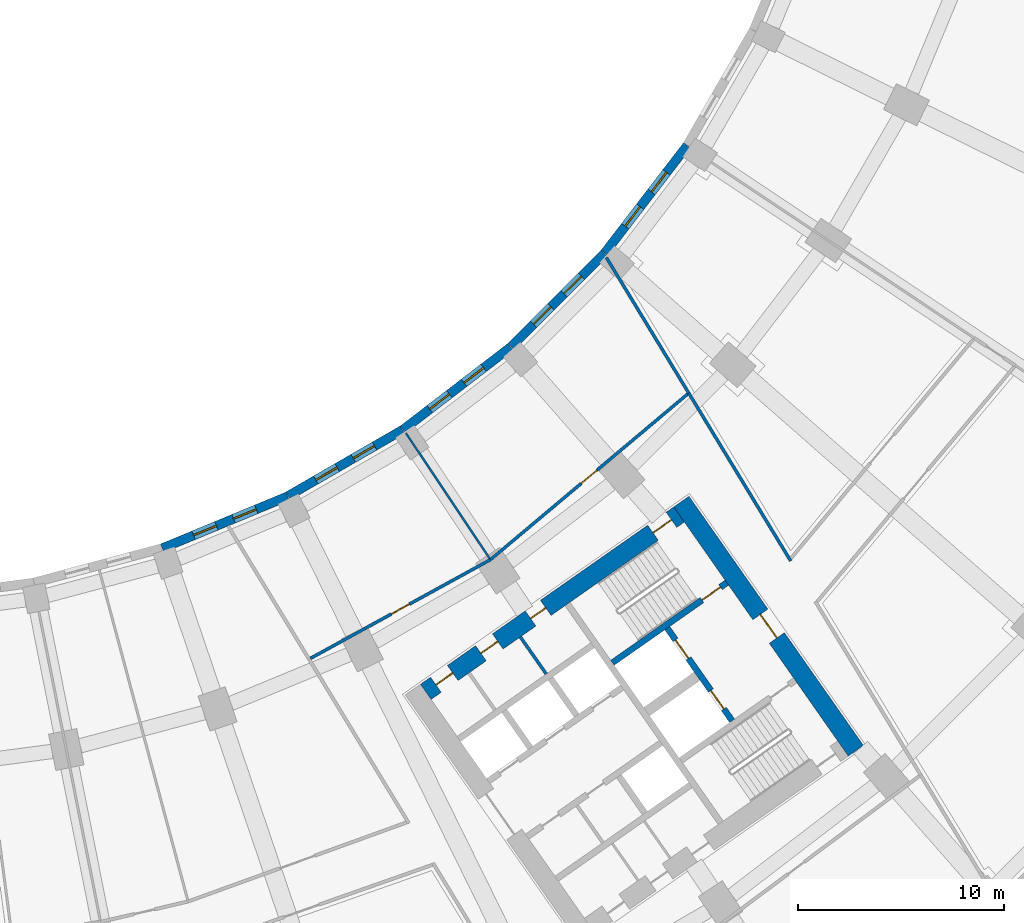
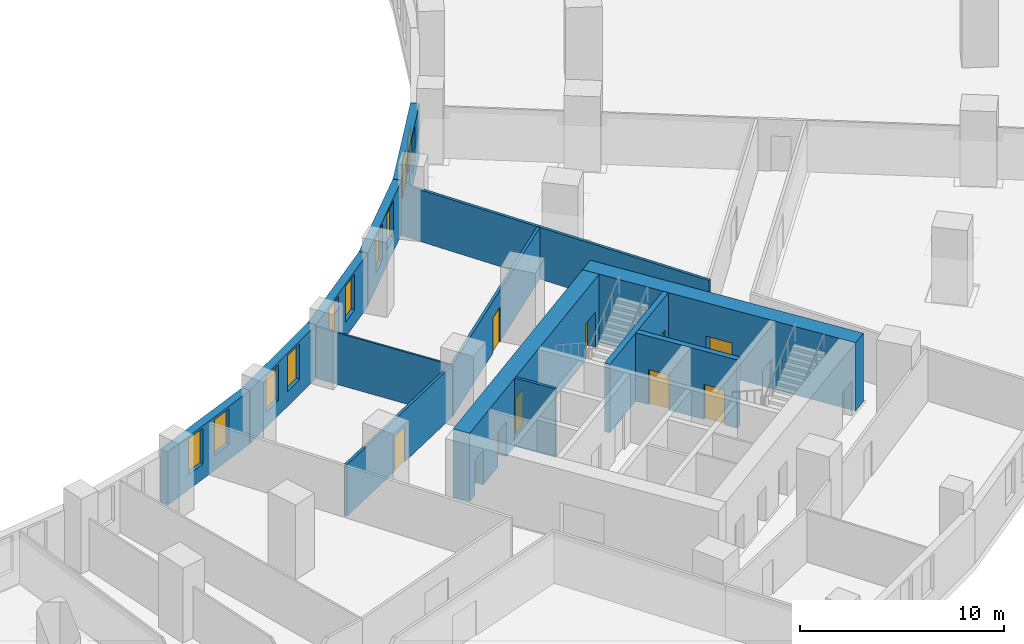
# One storey, part 11 of 20: 15 walls, 10 doors, 10 windows, 20 openings.
"""IFC4 building model written with IfcOpenShell, lengths in metres."""

from ifc_helpers import new_model, si_unit, direction, frame, frame_2d, origin, place, context, subcontext, project, spatial, rectangle, extrude, material, layer, layer_set, type_object, element, fill, save


model = new_model("IFC4")

# Units and contexts
model_context = context("Model", 3, precision=1e-05, world=origin(), true_north=direction((0.0, 1.0)))
body_context = subcontext(model_context, "Body", "Model", "MODEL_VIEW")
ifc_project = project(units=[si_unit("LENGTHUNIT", "METRE"), si_unit("AREAUNIT", "SQUARE_METRE"), si_unit("VOLUMEUNIT", "CUBIC_METRE"), si_unit("PLANEANGLEUNIT", "RADIAN"), si_unit("MASSUNIT", "GRAM", prefix="KILO")], contexts=[model_context])

# Site, building, storey
site_placement = place(None, origin())
site = spatial("IfcSite", under=ifc_project, at=site_placement, CompositionType="ELEMENT")
building_placement = place(site_placement, origin())
building = spatial("IfcBuilding", under=site, at=building_placement, Name="Qamariyya Broadcast Tower", CompositionType="ELEMENT")
storey_placement = place(building_placement, frame((0.0, 0.0, 27.0)))
storey = spatial("IfcBuildingStorey", under=building, at=storey_placement, Name="L03", CompositionType="ELEMENT", Elevation=27.0)

# Wall, opening, door
ifc_material_1 = material(Name="Concrete C70/85", Category="concrete")
ifc_layer_1 = layer(ifc_material_1, 0.89990234375)
ifc_layer_set_1 = layer_set([ifc_layer_1], Name="Core wall 900 mm Concrete C70/85")
wall_type_1 = type_object("IfcWallType", Name="Core wall 900 mm Concrete C70/85", PredefinedType="SHEAR", material=ifc_layer_set_1)
wall_1_placement = place(storey_placement, frame((49.778564453125, -57.191162109375, 0.0), z_axis=(0.0, 0.0, 1.0), x_axis=(-0.573577477574, 0.819151315216, 0.0)))
wall_1 = element("IfcWall", 1, at=wall_1_placement, inside=storey, type_object=wall_type_1, Name="k-E-L03-WH", PredefinedType="SHEAR", context=body_context, shape_type="SweptSolid", body=[
    extrude(rectangle(XDim=14.800048828125, YDim=0.89990234375, at=frame_2d((7.39990234375, 0.0))), origin(), (0.0, 0.0, 1.0), 4.10009765625),
])
opening_1_placement = place(wall_1_placement, frame((6.699951171875, 0.0, 0.0)))
opening_1 = element("IfcOpeningElement", 2, at=opening_1_placement, cuts=wall_1, Name="Opening KD2-E1", PredefinedType="OPENING", context=body_context, shape_type="SweptSolid", body=[
    extrude(rectangle(XDim=1.39990234375, YDim=2.10009765625, at=frame_2d((0.699951171875, 1.050048828125))), frame((0.0, 0.4599609375, 0.0), z_axis=(0.0, -1.0, 0.0), x_axis=(1.0, 0.0, 0.0)), (0.0, 0.0, 1.0), 0.919921875),
])
ifc_material_2 = material(Name="Steel fire-resisting door leaf", Category="steel")
door_type_1 = type_object("IfcDoorType", Name="Fire-fighting lobby door KD2", OperationType="DOUBLE_DOOR_SINGLE_SWING", PredefinedType="DOOR", material=ifc_material_2)
door_1_placement = place(opening_1_placement, origin())
door_1 = element("IfcDoor", 3, at=door_1_placement, inside=storey, type_object=door_type_1, Name="k-E-L03-WH-D15", OperationType="DOUBLE_DOOR_SINGLE_SWING", OverallHeight=2.10009765625, OverallWidth=1.39990234375, PredefinedType="DOOR", context=body_context, shape_type="SweptSolid", body=[
    extrude(rectangle(XDim=1.39990234375, YDim=2.10009765625, at=frame_2d((0.699951171875, 1.050048828125))), frame((0.0, 0.02490234375, 0.0), z_axis=(0.0, -1.0, 0.0), x_axis=(1.0, 0.0, 0.0)), (0.0, 0.0, 1.0), 0.050048828125),
])
fill(opening_1, door_1)

# Wall, openings, doors
wall_2_placement = place(storey_placement, frame((28.8544921875, -54.32421875, 0.0), z_axis=(0.0, 0.0, 1.0), x_axis=(0.819145767589, 0.573585400304, 0.0)))
wall_2 = element("IfcWall", 4, at=wall_2_placement, inside=storey, type_object=wall_type_1, Name="k-E-L03-WI", PredefinedType="SHEAR", context=body_context, shape_type="SweptSolid", body=[
    extrude(rectangle(XDim=15.04541015625, YDim=0.89990234375, at=frame_2d((7.522705078125, 0.0))), origin(), (0.0, 0.0, 1.0), 4.10009765625),
])
opening_2_placement = place(wall_2_placement, frame((0.60009765625, 0.0, 0.0)))
opening_2 = element("IfcOpeningElement", 5, at=opening_2_placement, cuts=wall_2, Name="Opening KD7-E1", PredefinedType="OPENING", context=body_context, shape_type="SweptSolid", body=[
    extrude(rectangle(XDim=1.0, YDim=2.10009765625, at=frame_2d((0.5, 1.050048828125))), frame((0.0, 0.4599609375, 0.0), z_axis=(0.0, -1.0, 0.0), x_axis=(1.0, 0.0, 0.0)), (0.0, 0.0, 1.0), 0.919921875),
])
opening_3_placement = place(wall_2_placement, frame((3.27490234375, 0.0, 0.0)))
opening_3 = element("IfcOpeningElement", 6, at=opening_3_placement, cuts=wall_2, Name="Opening KD6-E2", PredefinedType="OPENING", context=body_context, shape_type="SweptSolid", body=[
    extrude(rectangle(XDim=1.0, YDim=2.10009765625, at=frame_2d((0.5, 1.050048828125))), frame((0.0, 0.4599609375, 0.0), z_axis=(0.0, -1.0, 0.0), x_axis=(1.0, 0.0, 0.0)), (0.0, 0.0, 1.0), 0.919921875),
])
opening_4_placement = place(wall_2_placement, frame((6.22509765625, 0.0, 0.0)))
opening_4 = element("IfcOpeningElement", 7, at=opening_4_placement, cuts=wall_2, Name="Opening KD5-E1", PredefinedType="OPENING", context=body_context, shape_type="SweptSolid", body=[
    extrude(rectangle(XDim=0.89990234375, YDim=2.10009765625, at=frame_2d((0.449951171875, 1.050048828125))), frame((0.0, 0.4599609375, 0.0), z_axis=(0.0, -1.0, 0.0), x_axis=(1.0, 0.0, 0.0)), (0.0, 0.0, 1.0), 0.919921875),
])
opening_5_placement = place(wall_2_placement, frame((13.495361328125, 0.0, 0.0)))
opening_5 = element("IfcOpeningElement", 8, at=opening_5_placement, cuts=wall_2, Name="Opening KD1-E1", PredefinedType="OPENING", context=body_context, shape_type="SweptSolid", body=[
    extrude(rectangle(XDim=1.10009765625, YDim=2.10009765625, at=frame_2d((0.550048828125, 1.050048828125))), frame((0.0, 0.4599609375, 0.0), z_axis=(0.0, -1.0, 0.0), x_axis=(1.0, 0.0, 0.0)), (0.0, 0.0, 1.0), 0.919921875),
])
door_type_2 = type_object("IfcDoorType", Name="Accessible toilet door KD7", OperationType="SINGLE_SWING_LEFT", PredefinedType="DOOR", material=ifc_material_2)
door_2_placement = place(opening_2_placement, origin())
door_2 = element("IfcDoor", 9, at=door_2_placement, inside=storey, type_object=door_type_2, Name="k-E-L03-WI-D7", OperationType="SINGLE_SWING_LEFT", OverallHeight=2.10009765625, OverallWidth=1.0, PredefinedType="DOOR", context=body_context, shape_type="SweptSolid", body=[
    extrude(rectangle(XDim=1.0, YDim=2.10009765625, at=frame_2d((0.5, 1.050048828125))), frame((0.0, 0.02490234375, 0.0), z_axis=(0.0, -1.0, 0.0), x_axis=(1.0, 0.0, 0.0)), (0.0, 0.0, 1.0), 0.050048828125),
])
fill(opening_2, door_2)
door_type_3 = type_object("IfcDoorType", Name="Core room door KD6", OperationType="SINGLE_SWING_LEFT", PredefinedType="DOOR", material=ifc_material_2)
door_3_placement = place(opening_3_placement, origin())
door_3 = element("IfcDoor", 10, at=door_3_placement, inside=storey, type_object=door_type_3, Name="k-E-L03-WI-D8", OperationType="SINGLE_SWING_RIGHT", OverallHeight=2.10009765625, OverallWidth=1.0, PredefinedType="DOOR", context=body_context, shape_type="SweptSolid", body=[
    extrude(rectangle(XDim=1.0, YDim=2.10009765625, at=frame_2d((0.5, 1.050048828125))), frame((0.0, 0.02490234375, 0.0), z_axis=(0.0, -1.0, 0.0), x_axis=(1.0, 0.0, 0.0)), (0.0, 0.0, 1.0), 0.050048828125),
])
fill(opening_3, door_3)
door_type_4 = type_object("IfcDoorType", Name="Stair door KD1", OperationType="SINGLE_SWING_LEFT", PredefinedType="DOOR", material=ifc_material_2)
door_4_placement = place(opening_5_placement, origin())
door_4 = element("IfcDoor", 11, at=door_4_placement, inside=storey, type_object=door_type_4, Name="k-E-L03-WI-D16", OperationType="SINGLE_SWING_RIGHT", OverallHeight=2.10009765625, OverallWidth=1.10009765625, PredefinedType="DOOR", context=body_context, shape_type="SweptSolid", body=[
    extrude(rectangle(XDim=1.10009765625, YDim=2.10009765625, at=frame_2d((0.550048828125, 1.050048828125))), frame((0.0, 0.02490234375, 0.0), z_axis=(0.0, -1.0, 0.0), x_axis=(1.0, 0.0, 0.0)), (0.0, 0.0, 1.0), 0.050048828125),
])
fill(opening_5, door_4)
door_type_5 = type_object("IfcDoorType", Name="Toilet door KD5", OperationType="SINGLE_SWING_LEFT", PredefinedType="DOOR", material=ifc_material_2)
door_5_placement = place(opening_4_placement, origin())
door_5 = element("IfcDoor", 12, at=door_5_placement, inside=storey, type_object=door_type_5, Name="k-E-L03-WI-D9", OperationType="SINGLE_SWING_LEFT", OverallHeight=2.10009765625, OverallWidth=0.89990234375, PredefinedType="DOOR", context=body_context, shape_type="SweptSolid", body=[
    extrude(rectangle(XDim=0.89990234375, YDim=2.10009765625, at=frame_2d((0.449951171875, 1.050048828125))), frame((0.0, 0.02490234375, 0.0), z_axis=(0.0, -1.0, 0.0), x_axis=(1.0, 0.0, 0.0)), (0.0, 0.0, 1.0), 0.050048828125),
])
fill(opening_4, door_5)

# Wall, opening, door
ifc_material_3 = material(Name="Gypsum board partition")
ifc_layer_2 = layer(ifc_material_3, 0.14990234375)
ifc_layer_set_2 = layer_set([ifc_layer_2], Name="Corridor partition 150 EI 60")
wall_type_2 = type_object("IfcWallType", Name="Corridor partition 150 EI 60", PredefinedType="PARTITIONING", material=ifc_layer_set_2)
wall_3_placement = place(storey_placement, frame((23.239990234375, -52.696533203125, 0.0), z_axis=(0.0, 0.0, 1.0), x_axis=(0.876826033283, 0.480807765492, 0.0)))
wall_3 = element("IfcWall", 13, at=wall_3_placement, inside=storey, type_object=wall_type_2, Name="Partition L03-050", PredefinedType="PARTITIONING", context=body_context, shape_type="SweptSolid", body=[
    extrude(rectangle(XDim=9.991455078125, YDim=0.14990234375, at=frame_2d((4.99560546875, 0.0))), origin(), (0.0, 0.0, 1.0), 3.10009765625),
])
opening_6_placement = place(wall_3_placement, frame((4.495849609375, 0.0, 0.0)))
opening_6 = element("IfcOpeningElement", 14, at=opening_6_placement, cuts=wall_3, Name="Opening L03-D23", PredefinedType="OPENING", context=body_context, shape_type="SweptSolid", body=[
    extrude(rectangle(XDim=1.0, YDim=2.10009765625, at=frame_2d((0.5, 1.050048828125))), frame((0.0, 0.0849609375, 0.0), z_axis=(0.0, -1.0, 0.0), x_axis=(1.0, 0.0, 0.0)), (0.0, 0.0, 1.0), 0.169921875),
])
ifc_material_4 = material(Name="Timber fire door leaf", Category="wood")
door_type_6 = type_object("IfcDoorType", Name="Fire door 1000 x 2100 FD60", OperationType="NOTDEFINED", PredefinedType="DOOR", material=ifc_material_4)
door_6_placement = place(opening_6_placement, origin())
door_6 = element("IfcDoor", 15, at=door_6_placement, inside=storey, type_object=door_type_6, Name="Door L03-D23", OperationType="SINGLE_SWING_RIGHT", OverallHeight=2.10009765625, OverallWidth=1.0, PredefinedType="DOOR", context=body_context, shape_type="SweptSolid", body=[
    extrude(rectangle(XDim=1.0, YDim=2.10009765625, at=frame_2d((0.5, 1.050048828125))), frame((0.0, 0.02490234375, 0.0), z_axis=(0.0, -1.0, 0.0), x_axis=(1.0, 0.0, 0.0)), (0.0, 0.0, 1.0), 0.050048828125),
])
fill(opening_6, door_6)

wall_4_placement = place(storey_placement, frame((32.000732421875, -47.892578125, 0.0), z_axis=(0.0, 0.0, 1.0), x_axis=(0.765734049768, 0.643157340801, 0.0)))
wall_4 = element("IfcWall", 16, at=wall_4_placement, inside=storey, type_object=wall_type_2, Name="Partition L03-053", PredefinedType="PARTITIONING", context=body_context, shape_type="SweptSolid", body=[
    extrude(rectangle(XDim=12.52392578125, YDim=0.14990234375, at=frame_2d((6.261962890625, 0.0))), origin(), (0.0, 0.0, 1.0), 3.10009765625),
])
opening_7_placement = place(wall_4_placement, frame((5.761962890625, 0.0, 0.0)))
opening_7 = element("IfcOpeningElement", 17, at=opening_7_placement, cuts=wall_4, Name="Opening L03-D24", PredefinedType="OPENING", context=body_context, shape_type="SweptSolid", body=[
    extrude(rectangle(XDim=1.0, YDim=2.10009765625, at=frame_2d((0.5, 1.050048828125))), frame((0.0, 0.0849609375, 0.0), z_axis=(0.0, -1.0, 0.0), x_axis=(1.0, 0.0, 0.0)), (0.0, 0.0, 1.0), 0.169921875),
])
door_7_placement = place(opening_7_placement, origin())
door_7 = element("IfcDoor", 18, at=door_7_placement, inside=storey, type_object=door_type_6, Name="Door L03-D24", OperationType="SINGLE_SWING_RIGHT", OverallHeight=2.10009765625, OverallWidth=1.0, PredefinedType="DOOR", context=body_context, shape_type="SweptSolid", body=[
    extrude(rectangle(XDim=1.0, YDim=2.10009765625, at=frame_2d((0.5, 1.050048828125))), frame((0.0, 0.02490234375, 0.0), z_axis=(0.0, -1.0, 0.0), x_axis=(1.0, 0.0, 0.0)), (0.0, 0.0, 1.0), 0.050048828125),
])
fill(opening_7, door_7)

# Walls
wall_5_placement = place(storey_placement, frame((37.6376953125, -33.18701171875, 0.0), z_axis=(0.0, 0.0, 1.0), x_axis=(0.519163683086, -0.854674833, 0.0)))
element("IfcWall", 19, at=wall_5_placement, inside=storey, type_object=wall_type_2, Name="Partition L03-056", PredefinedType="PARTITIONING", context=body_context, shape_type="SweptSolid", body=[
    extrude(rectangle(XDim=7.724853515625, YDim=0.14990234375, at=frame_2d((3.8623046875, 0.0))), origin(), (0.0, 0.0, 1.0), 3.10009765625),
])
wall_6_placement = place(storey_placement, frame((41.648193359375, -39.789306640625, 0.0), z_axis=(0.0, 0.0, 1.0), x_axis=(0.519144162426, -0.854686690325, 0.0)))
element("IfcWall", 20, at=wall_6_placement, inside=storey, type_object=wall_type_2, Name="Partition L03-058", PredefinedType="PARTITIONING", context=body_context, shape_type="SweptSolid", body=[
    extrude(rectangle(XDim=9.55419921875, YDim=0.14990234375, at=frame_2d((4.777099609375, 0.0))), origin(), (0.0, 0.0, 1.0), 3.10009765625),
])
ifc_material_5 = material(Name="Gypsum board partition on steel studs", Category="steel")
ifc_layer_3 = layer(ifc_material_5, 0.14990234375)
ifc_layer_set_3 = layer_set([ifc_layer_3], Name="Gypsum board partition 150 mm")
wall_type_3 = type_object("IfcWallType", Name="Gypsum board partition 150 mm", PredefinedType="PARTITIONING", material=ifc_layer_set_3)
wall_7_placement = place(storey_placement, frame((34.716064453125, -53.454833984375, 0.0), z_axis=(0.0, 0.0, 1.0), x_axis=(-0.573507030513, 0.819200638399, 0.0)))
element("IfcWall", 21, at=wall_7_placement, inside=storey, type_object=wall_type_3, Name="k-E-L03-NP530", PredefinedType="PARTITIONING", context=body_context, shape_type="SweptSolid", body=[
    extrude(rectangle(XDim=2.199951171875, YDim=0.14990234375, at=frame_2d((1.10009765625, 0.0))), origin(), (0.0, 0.0, 1.0), 4.10009765625),
])

# Wall, opening, door
ifc_material_6 = material(Name="Concrete C60/75", Category="concrete")
ifc_layer_4 = layer(ifc_material_6, 0.300048828125)
ifc_layer_set_4 = layer_set([ifc_layer_4], Name="Lift shaft wall 300 mm Concrete C60/75")
wall_type_4 = type_object("IfcWallType", Name="Lift shaft wall 300 mm Concrete C60/75", PredefinedType="SOLIDWALL", material=ifc_layer_set_4)
wall_8_placement = place(storey_placement, frame((37.935546875, -52.90966796875, 0.0), z_axis=(0.0, 0.0, 1.0), x_axis=(0.819147518138, 0.57358290031, 0.0)))
wall_8 = element("IfcWall", 22, at=wall_8_placement, inside=storey, type_object=wall_type_4, Name="k-E-L03-NW", PredefinedType="SOLIDWALL", context=body_context, shape_type="SweptSolid", body=[
    extrude(rectangle(XDim=6.79541015625, YDim=0.300048828125, at=frame_2d((3.397705078125, 0.0))), origin(), (0.0, 0.0, 1.0), 4.10009765625),
])
opening_8_placement = place(wall_8_placement, frame((5.3203125, 0.0, 0.0)))
opening_8 = element("IfcOpeningElement", 23, at=opening_8_placement, cuts=wall_8, Name="Opening KD1-E2", PredefinedType="OPENING", context=body_context, shape_type="SweptSolid", body=[
    extrude(rectangle(XDim=1.10009765625, YDim=2.10009765625, at=frame_2d((0.550048828125, 1.050048828125))), frame((0.0, 0.159912109375, 0.0), z_axis=(0.0, -1.0, 0.0), x_axis=(1.0, 0.0, 0.0)), (0.0, 0.0, 1.0), 0.320068359375),
])
door_8_placement = place(opening_8_placement, origin())
door_8 = element("IfcDoor", 24, at=door_8_placement, inside=storey, type_object=door_type_4, Name="k-E-L03-NW-D17", OperationType="SINGLE_SWING_LEFT", OverallHeight=2.10009765625, OverallWidth=1.10009765625, PredefinedType="DOOR", context=body_context, shape_type="SweptSolid", body=[
    extrude(rectangle(XDim=1.10009765625, YDim=2.10009765625, at=frame_2d((0.550048828125, 1.050048828125))), frame((0.0, 0.02490234375, 0.0), z_axis=(0.0, -1.0, 0.0), x_axis=(1.0, 0.0, 0.0)), (0.0, 0.0, 1.0), 0.050048828125),
])
fill(opening_8, door_8)

# Wall, openings, doors
wall_9_placement = place(storey_placement, frame((43.756591796875, -55.731201171875, 0.0), z_axis=(0.0, 0.0, 1.0), x_axis=(-0.573536818435, 0.819179783625, 0.0)))
wall_9 = element("IfcWall", 25, at=wall_9_placement, inside=storey, type_object=wall_type_4, Name="k-E-L03-FF", PredefinedType="SOLIDWALL", context=body_context, shape_type="SweptSolid", body=[
    extrude(rectangle(XDim=5.500244140625, YDim=0.300048828125, at=frame_2d((2.75, 0.0))), origin(), (0.0, 0.0, 1.0), 4.10009765625),
])
opening_9_placement = place(wall_9_placement, frame((0.699951171875, 0.0, 0.0)))
opening_9 = element("IfcOpeningElement", 26, at=opening_9_placement, cuts=wall_9, Name="Opening LD", PredefinedType="OPENING", context=body_context, shape_type="SweptSolid", body=[
    extrude(rectangle(XDim=1.10009765625, YDim=2.10009765625, at=frame_2d((0.550048828125, 1.050048828125))), frame((0.0, 0.159912109375, 0.0), z_axis=(0.0, -1.0, 0.0), x_axis=(1.0, 0.0, 0.0)), (0.0, 0.0, 1.0), 0.320068359375),
])
opening_10_placement = place(wall_9_placement, frame((3.699951171875, 0.0, 0.0)))
opening_10 = element("IfcOpeningElement", 27, at=opening_10_placement, cuts=wall_9, Name="Opening LD", PredefinedType="OPENING", context=body_context, shape_type="SweptSolid", body=[
    extrude(rectangle(XDim=1.10009765625, YDim=2.10009765625, at=frame_2d((0.550048828125, 1.050048828125))), frame((0.0, 0.159912109375, 0.0), z_axis=(0.0, -1.0, 0.0), x_axis=(1.0, 0.0, 0.0)), (0.0, 0.0, 1.0), 0.320068359375),
])
door_type_7 = type_object("IfcDoorType", Name="Lift landing door LD", OperationType="DOUBLE_DOOR_SLIDING", PredefinedType="DOOR", material=ifc_material_2)
door_9_placement = place(opening_9_placement, origin())
door_9 = element("IfcDoor", 28, at=door_9_placement, inside=storey, type_object=door_type_7, Name="k-E-L03-FF-D13", OperationType="DOUBLE_DOOR_SLIDING", OverallHeight=2.10009765625, OverallWidth=1.10009765625, PredefinedType="DOOR", context=body_context, shape_type="SweptSolid", body=[
    extrude(rectangle(XDim=1.10009765625, YDim=2.10009765625, at=frame_2d((0.550048828125, 1.050048828125))), frame((0.0, 0.02490234375, 0.0), z_axis=(0.0, -1.0, 0.0), x_axis=(1.0, 0.0, 0.0)), (0.0, 0.0, 1.0), 0.050048828125),
])
fill(opening_9, door_9)
door_10_placement = place(opening_10_placement, origin())
door_10 = element("IfcDoor", 29, at=door_10_placement, inside=storey, type_object=door_type_7, Name="k-E-L03-FF-D14", OperationType="DOUBLE_DOOR_SLIDING", OverallHeight=2.10009765625, OverallWidth=1.10009765625, PredefinedType="DOOR", context=body_context, shape_type="SweptSolid", body=[
    extrude(rectangle(XDim=1.10009765625, YDim=2.10009765625, at=frame_2d((0.550048828125, 1.050048828125))), frame((0.0, 0.02490234375, 0.0), z_axis=(0.0, -1.0, 0.0), x_axis=(1.0, 0.0, 0.0)), (0.0, 0.0, 1.0), 0.050048828125),
])
fill(opening_10, door_10)

# Wall
ifc_layer_5 = layer(ifc_material_3, 0.10009765625)
ifc_layer_set_5 = layer_set([ifc_layer_5], Name="Partition 100")
wall_type_5 = type_object("IfcWallType", Name="Partition 100", PredefinedType="PARTITIONING", material=ifc_layer_set_5)
wall_10_placement = place(storey_placement, frame((27.8896484375, -41.73974609375, 0.0), z_axis=(0.0, 0.0, 1.0), x_axis=(0.555569023768, -0.831470420297, 0.0)))
element("IfcWall", 30, at=wall_10_placement, inside=storey, type_object=wall_type_5, Name="Partition L03-051", PredefinedType="PARTITIONING", context=body_context, shape_type="SweptSolid", body=[
    extrude(rectangle(XDim=7.324951171875, YDim=0.10009765625, at=frame_2d((3.66259765625, 0.0))), origin(), (0.0, 0.0, 1.0), 3.10009765625),
])

# Wall, openings, windows
ifc_material_7 = material(Name="Precast concrete C40/50 with terracotta facing", Category="masonry")
ifc_layer_6 = layer(ifc_material_7, 0.449951171875)
ifc_layer_set_6 = layer_set([ifc_layer_6], Name="Precast concrete C40/50 wall 450, terracotta faced")
wall_type_6 = type_object("IfcWallType", Name="Precast concrete C40/50 wall 450, terracotta faced", PredefinedType="SOLIDWALL", material=ifc_layer_set_6)
wall_11_placement = place(storey_placement, frame((22.13134765625, -44.81005859375, 0.0), z_axis=(0.0, 0.0, 1.0), x_axis=(-0.923877459804, -0.382688436284, 0.0)))
wall_11 = element("IfcWall", 31, at=wall_11_placement, inside=storey, type_object=wall_type_6, Name="e-wl-L03-in130", PredefinedType="SOLIDWALL", context=body_context, shape_type="SweptSolid", body=[
    extrude(rectangle(XDim=6.59716796875, YDim=0.449951171875, at=frame_2d((3.298583984375, 0.0))), origin(), (0.0, 0.0, 1.0), 3.199951171875),
])
opening_11_placement = place(wall_11_placement, frame((3.74853515625, 0.0, 0.89990234375)))
opening_11 = element("IfcOpeningElement", 32, at=opening_11_placement, cuts=wall_11, Name="Opening W3", PredefinedType="OPENING", context=body_context, shape_type="SweptSolid", body=[
    extrude(rectangle(XDim=1.199951171875, YDim=2.14990234375, at=frame_2d((0.60009765625, 1.074951171875))), frame((0.0, 0.23486328125, 0.0), z_axis=(0.0, -1.0, 0.0), x_axis=(1.0, 0.0, 0.0)), (0.0, 0.0, 1.0), 0.469970703125),
])
opening_12_placement = place(wall_11_placement, frame((1.6484375, 0.0, 0.89990234375)))
opening_12 = element("IfcOpeningElement", 33, at=opening_12_placement, cuts=wall_11, Name="Opening W3", PredefinedType="OPENING", context=body_context, shape_type="SweptSolid", body=[
    extrude(rectangle(XDim=1.199951171875, YDim=2.14990234375, at=frame_2d((0.60009765625, 1.074951171875))), frame((0.0, 0.23486328125, 0.0), z_axis=(0.0, -1.0, 0.0), x_axis=(1.0, 0.0, 0.0)), (0.0, 0.0, 1.0), 0.469970703125),
])
ifc_material_8 = material(Name="Clear low-e double glazed unit in aluminium frame", Category="aluminium")
window_type = type_object("IfcWindowType", Name="Podium window 1200 x 2150", PartitioningType="SINGLE_PANEL", PredefinedType="WINDOW", material=ifc_material_8)
window_1_placement = place(opening_11_placement, origin())
window_1 = element("IfcWindow", 34, at=window_1_placement, inside=storey, type_object=window_type, Name="e-w-L03-in13a", OverallHeight=2.14990234375, OverallWidth=1.199951171875, PartitioningType="SINGLE_PANEL", PredefinedType="WINDOW", context=body_context, shape_type="SweptSolid", body=[
    extrude(rectangle(XDim=1.199951171875, YDim=2.14990234375, at=frame_2d((0.60009765625, 1.074951171875))), frame((0.0, 0.030029296875, 0.0), z_axis=(0.0, -1.0, 0.0), x_axis=(1.0, 0.0, 0.0)), (0.0, 0.0, 1.0), 0.06005859375),
])
fill(opening_11, window_1)
window_2_placement = place(opening_12_placement, origin())
window_2 = element("IfcWindow", 35, at=window_2_placement, inside=storey, type_object=window_type, Name="e-w-L03-in13b", OverallHeight=2.14990234375, OverallWidth=1.199951171875, PartitioningType="SINGLE_PANEL", PredefinedType="WINDOW", context=body_context, shape_type="SweptSolid", body=[
    extrude(rectangle(XDim=1.199951171875, YDim=2.14990234375, at=frame_2d((0.60009765625, 1.074951171875))), frame((0.0, 0.030029296875, 0.0), z_axis=(0.0, -1.0, 0.0), x_axis=(1.0, 0.0, 0.0)), (0.0, 0.0, 1.0), 0.06005859375),
])
fill(opening_12, window_2)

wall_12_placement = place(storey_placement, frame((27.7138671875, -41.58251953125, 0.0), z_axis=(0.0, 0.0, 1.0), x_axis=(-0.866022817921, -0.50000447882, 0.0)))
wall_12 = element("IfcWall", 36, at=wall_12_placement, inside=storey, type_object=wall_type_6, Name="e-wl-L03-in140", PredefinedType="SOLIDWALL", context=body_context, shape_type="SweptSolid", body=[
    extrude(rectangle(XDim=6.41943359375, YDim=0.449951171875, at=frame_2d((3.209716796875, 0.0))), origin(), (0.0, 0.0, 1.0), 3.199951171875),
])
opening_13_placement = place(wall_12_placement, frame((3.65966796875, 0.0, 0.89990234375)))
opening_13 = element("IfcOpeningElement", 37, at=opening_13_placement, cuts=wall_12, Name="Opening W3", PredefinedType="OPENING", context=body_context, shape_type="SweptSolid", body=[
    extrude(rectangle(XDim=1.199951171875, YDim=2.14990234375, at=frame_2d((0.60009765625, 1.074951171875))), frame((0.0, 0.23486328125, 0.0), z_axis=(0.0, -1.0, 0.0), x_axis=(1.0, 0.0, 0.0)), (0.0, 0.0, 1.0), 0.469970703125),
])
opening_14_placement = place(wall_12_placement, frame((1.5595703125, 0.0, 0.89990234375)))
opening_14 = element("IfcOpeningElement", 38, at=opening_14_placement, cuts=wall_12, Name="Opening W3", PredefinedType="OPENING", context=body_context, shape_type="SweptSolid", body=[
    extrude(rectangle(XDim=1.199951171875, YDim=2.14990234375, at=frame_2d((0.60009765625, 1.074951171875))), frame((0.0, 0.23486328125, 0.0), z_axis=(0.0, -1.0, 0.0), x_axis=(1.0, 0.0, 0.0)), (0.0, 0.0, 1.0), 0.469970703125),
])
window_3_placement = place(opening_13_placement, origin())
window_3 = element("IfcWindow", 39, at=window_3_placement, inside=storey, type_object=window_type, Name="e-w-L03-in14a", OverallHeight=2.14990234375, OverallWidth=1.199951171875, PartitioningType="SINGLE_PANEL", PredefinedType="WINDOW", context=body_context, shape_type="SweptSolid", body=[
    extrude(rectangle(XDim=1.199951171875, YDim=2.14990234375, at=frame_2d((0.60009765625, 1.074951171875))), frame((0.0, 0.030029296875, 0.0), z_axis=(0.0, -1.0, 0.0), x_axis=(1.0, 0.0, 0.0)), (0.0, 0.0, 1.0), 0.06005859375),
])
fill(opening_13, window_3)
window_4_placement = place(opening_14_placement, origin())
window_4 = element("IfcWindow", 40, at=window_4_placement, inside=storey, type_object=window_type, Name="e-w-L03-in14b", OverallHeight=2.14990234375, OverallWidth=1.199951171875, PartitioningType="SINGLE_PANEL", PredefinedType="WINDOW", context=body_context, shape_type="SweptSolid", body=[
    extrude(rectangle(XDim=1.199951171875, YDim=2.14990234375, at=frame_2d((0.60009765625, 1.074951171875))), frame((0.0, 0.030029296875, 0.0), z_axis=(0.0, -1.0, 0.0), x_axis=(1.0, 0.0, 0.0)), (0.0, 0.0, 1.0), 0.06005859375),
])
fill(opening_14, window_4)

wall_13_placement = place(storey_placement, frame((32.974853515625, -37.55517578125, 0.0), z_axis=(0.0, 0.0, 1.0), x_axis=(-0.793338838284, -0.608780327927, 0.0)))
wall_13 = element("IfcWall", 41, at=wall_13_placement, inside=storey, type_object=wall_type_6, Name="e-wl-L03-in150", PredefinedType="SOLIDWALL", context=body_context, shape_type="SweptSolid", body=[
    extrude(rectangle(XDim=6.596923828125, YDim=0.449951171875, at=frame_2d((3.29833984375, 0.0))), origin(), (0.0, 0.0, 1.0), 3.199951171875),
])
opening_15_placement = place(wall_13_placement, frame((3.74853515625, 0.0, 0.89990234375)))
opening_15 = element("IfcOpeningElement", 42, at=opening_15_placement, cuts=wall_13, Name="Opening W3", PredefinedType="OPENING", context=body_context, shape_type="SweptSolid", body=[
    extrude(rectangle(XDim=1.199951171875, YDim=2.14990234375, at=frame_2d((0.60009765625, 1.074951171875))), frame((0.0, 0.23486328125, 0.0), z_axis=(0.0, -1.0, 0.0), x_axis=(1.0, 0.0, 0.0)), (0.0, 0.0, 1.0), 0.469970703125),
])
opening_16_placement = place(wall_13_placement, frame((1.6484375, 0.0, 0.89990234375)))
opening_16 = element("IfcOpeningElement", 43, at=opening_16_placement, cuts=wall_13, Name="Opening W3", PredefinedType="OPENING", context=body_context, shape_type="SweptSolid", body=[
    extrude(rectangle(XDim=1.199951171875, YDim=2.14990234375, at=frame_2d((0.60009765625, 1.074951171875))), frame((0.0, 0.23486328125, 0.0), z_axis=(0.0, -1.0, 0.0), x_axis=(1.0, 0.0, 0.0)), (0.0, 0.0, 1.0), 0.469970703125),
])
window_5_placement = place(opening_15_placement, origin())
window_5 = element("IfcWindow", 44, at=window_5_placement, inside=storey, type_object=window_type, Name="e-w-L03-in15a", OverallHeight=2.14990234375, OverallWidth=1.199951171875, PartitioningType="SINGLE_PANEL", PredefinedType="WINDOW", context=body_context, shape_type="SweptSolid", body=[
    extrude(rectangle(XDim=1.199951171875, YDim=2.14990234375, at=frame_2d((0.60009765625, 1.074951171875))), frame((0.0, 0.030029296875, 0.0), z_axis=(0.0, -1.0, 0.0), x_axis=(1.0, 0.0, 0.0)), (0.0, 0.0, 1.0), 0.06005859375),
])
fill(opening_15, window_5)
window_6_placement = place(opening_16_placement, origin())
window_6 = element("IfcWindow", 45, at=window_6_placement, inside=storey, type_object=window_type, Name="e-w-L03-in15b", OverallHeight=2.14990234375, OverallWidth=1.199951171875, PartitioningType="SINGLE_PANEL", PredefinedType="WINDOW", context=body_context, shape_type="SweptSolid", body=[
    extrude(rectangle(XDim=1.199951171875, YDim=2.14990234375, at=frame_2d((0.60009765625, 1.074951171875))), frame((0.0, 0.030029296875, 0.0), z_axis=(0.0, -1.0, 0.0), x_axis=(1.0, 0.0, 0.0)), (0.0, 0.0, 1.0), 0.06005859375),
])
fill(opening_16, window_6)

wall_14_placement = place(storey_placement, frame((37.531982421875, -32.992919921875, 0.0), z_axis=(0.0, 0.0, 1.0), x_axis=(-0.707106781187, -0.707106781187, 0.0)))
wall_14 = element("IfcWall", 46, at=wall_14_placement, inside=storey, type_object=wall_type_6, Name="e-wl-L03-in160", PredefinedType="SOLIDWALL", context=body_context, shape_type="SweptSolid", body=[
    extrude(rectangle(XDim=6.419189453125, YDim=0.449951171875, at=frame_2d((3.20947265625, 0.0))), origin(), (0.0, 0.0, 1.0), 3.199951171875),
])
opening_17_placement = place(wall_14_placement, frame((3.65966796875, 0.0, 0.89990234375)))
opening_17 = element("IfcOpeningElement", 47, at=opening_17_placement, cuts=wall_14, Name="Opening W3", PredefinedType="OPENING", context=body_context, shape_type="SweptSolid", body=[
    extrude(rectangle(XDim=1.199951171875, YDim=2.14990234375, at=frame_2d((0.60009765625, 1.074951171875))), frame((0.0, 0.23486328125, 0.0), z_axis=(0.0, -1.0, 0.0), x_axis=(1.0, 0.0, 0.0)), (0.0, 0.0, 1.0), 0.469970703125),
])
opening_18_placement = place(wall_14_placement, frame((1.5595703125, 0.0, 0.89990234375)))
opening_18 = element("IfcOpeningElement", 48, at=opening_18_placement, cuts=wall_14, Name="Opening W3", PredefinedType="OPENING", context=body_context, shape_type="SweptSolid", body=[
    extrude(rectangle(XDim=1.199951171875, YDim=2.14990234375, at=frame_2d((0.60009765625, 1.074951171875))), frame((0.0, 0.23486328125, 0.0), z_axis=(0.0, -1.0, 0.0), x_axis=(1.0, 0.0, 0.0)), (0.0, 0.0, 1.0), 0.469970703125),
])
window_7_placement = place(opening_17_placement, origin())
window_7 = element("IfcWindow", 49, at=window_7_placement, inside=storey, type_object=window_type, Name="e-w-L03-in16a", OverallHeight=2.14990234375, OverallWidth=1.199951171875, PartitioningType="SINGLE_PANEL", PredefinedType="WINDOW", context=body_context, shape_type="SweptSolid", body=[
    extrude(rectangle(XDim=1.199951171875, YDim=2.14990234375, at=frame_2d((0.60009765625, 1.074951171875))), frame((0.0, 0.030029296875, 0.0), z_axis=(0.0, -1.0, 0.0), x_axis=(1.0, 0.0, 0.0)), (0.0, 0.0, 1.0), 0.06005859375),
])
fill(opening_17, window_7)
window_8_placement = place(opening_18_placement, origin())
window_8 = element("IfcWindow", 50, at=window_8_placement, inside=storey, type_object=window_type, Name="e-w-L03-in16b", OverallHeight=2.14990234375, OverallWidth=1.199951171875, PartitioningType="SINGLE_PANEL", PredefinedType="WINDOW", context=body_context, shape_type="SweptSolid", body=[
    extrude(rectangle(XDim=1.199951171875, YDim=2.14990234375, at=frame_2d((0.60009765625, 1.074951171875))), frame((0.0, 0.030029296875, 0.0), z_axis=(0.0, -1.0, 0.0), x_axis=(1.0, 0.0, 0.0)), (0.0, 0.0, 1.0), 0.06005859375),
])
fill(opening_18, window_8)

wall_15_placement = place(storey_placement, frame((41.5712890625, -27.7412109375, 0.0), z_axis=(0.0, 0.0, 1.0), x_axis=(-0.608780327927, -0.793338838284, 0.0)))
wall_15 = element("IfcWall", 51, at=wall_15_placement, inside=storey, type_object=wall_type_6, Name="e-wl-L03-in170", PredefinedType="SOLIDWALL", context=body_context, shape_type="SweptSolid", body=[
    extrude(rectangle(XDim=6.596923828125, YDim=0.449951171875, at=frame_2d((3.29833984375, 0.0))), origin(), (0.0, 0.0, 1.0), 3.199951171875),
])
opening_19_placement = place(wall_15_placement, frame((3.74853515625, 0.0, 0.89990234375)))
opening_19 = element("IfcOpeningElement", 52, at=opening_19_placement, cuts=wall_15, Name="Opening W3", PredefinedType="OPENING", context=body_context, shape_type="SweptSolid", body=[
    extrude(rectangle(XDim=1.199951171875, YDim=2.14990234375, at=frame_2d((0.60009765625, 1.074951171875))), frame((0.0, 0.23486328125, 0.0), z_axis=(0.0, -1.0, 0.0), x_axis=(1.0, 0.0, 0.0)), (0.0, 0.0, 1.0), 0.469970703125),
])
opening_20_placement = place(wall_15_placement, frame((1.6484375, 0.0, 0.89990234375)))
opening_20 = element("IfcOpeningElement", 53, at=opening_20_placement, cuts=wall_15, Name="Opening W3", PredefinedType="OPENING", context=body_context, shape_type="SweptSolid", body=[
    extrude(rectangle(XDim=1.199951171875, YDim=2.14990234375, at=frame_2d((0.60009765625, 1.074951171875))), frame((0.0, 0.23486328125, 0.0), z_axis=(0.0, -1.0, 0.0), x_axis=(1.0, 0.0, 0.0)), (0.0, 0.0, 1.0), 0.469970703125),
])
window_9_placement = place(opening_19_placement, origin())
window_9 = element("IfcWindow", 54, at=window_9_placement, inside=storey, type_object=window_type, Name="e-w-L03-in17a", OverallHeight=2.14990234375, OverallWidth=1.199951171875, PartitioningType="SINGLE_PANEL", PredefinedType="WINDOW", context=body_context, shape_type="SweptSolid", body=[
    extrude(rectangle(XDim=1.199951171875, YDim=2.14990234375, at=frame_2d((0.60009765625, 1.074951171875))), frame((0.0, 0.030029296875, 0.0), z_axis=(0.0, -1.0, 0.0), x_axis=(1.0, 0.0, 0.0)), (0.0, 0.0, 1.0), 0.06005859375),
])
fill(opening_19, window_9)
window_10_placement = place(opening_20_placement, origin())
window_10 = element("IfcWindow", 55, at=window_10_placement, inside=storey, type_object=window_type, Name="e-w-L03-in17b", OverallHeight=2.14990234375, OverallWidth=1.199951171875, PartitioningType="SINGLE_PANEL", PredefinedType="WINDOW", context=body_context, shape_type="SweptSolid", body=[
    extrude(rectangle(XDim=1.199951171875, YDim=2.14990234375, at=frame_2d((0.60009765625, 1.074951171875))), frame((0.0, 0.030029296875, 0.0), z_axis=(0.0, -1.0, 0.0), x_axis=(1.0, 0.0, 0.0)), (0.0, 0.0, 1.0), 0.06005859375),
])
fill(opening_20, window_10)

save(model, "model.ifc")
